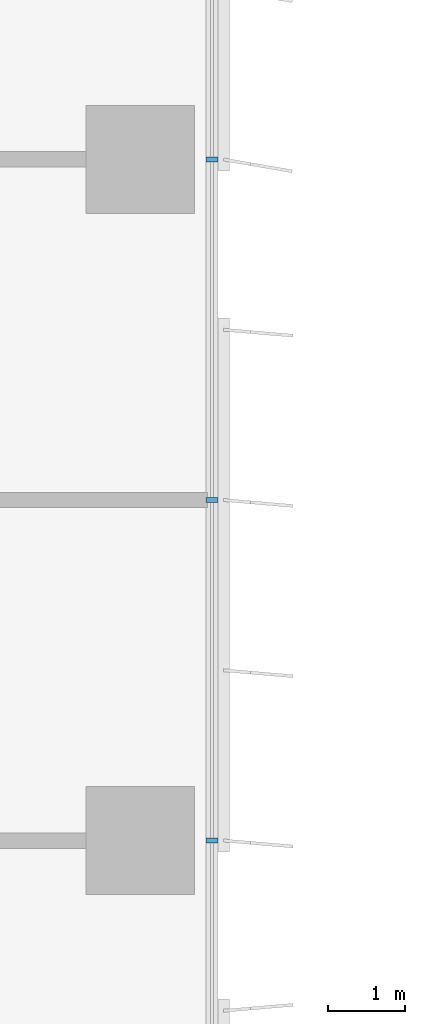
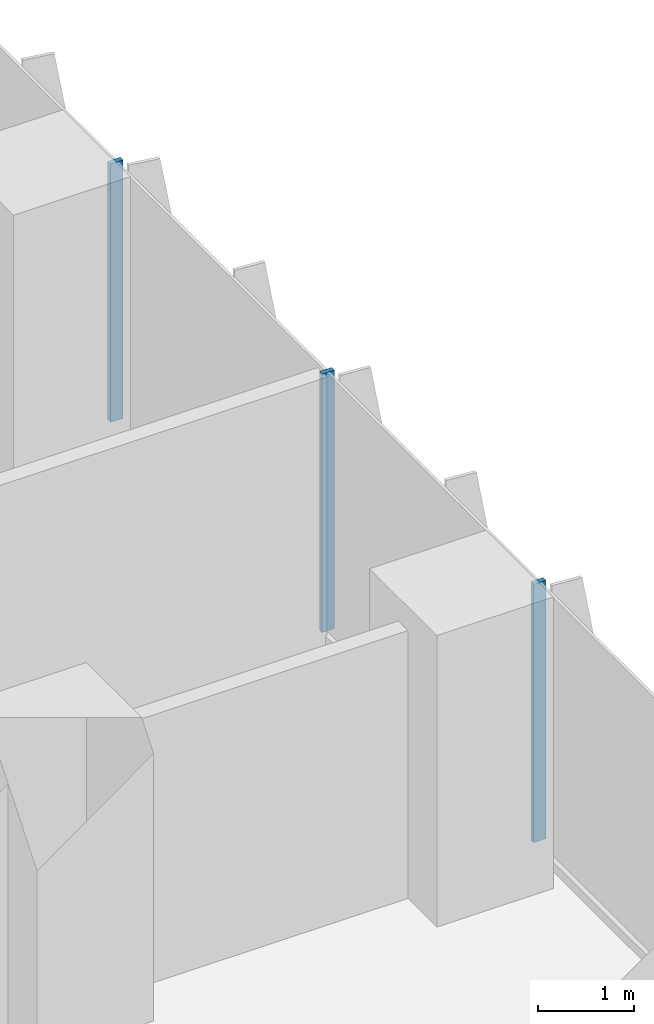
# One storey, part 7 of 24: 3 members, 1 element without a shape of its own.
"""IFC4 building model written with IfcOpenShell, lengths in metres."""

from ifc_helpers import new_model, si_unit, direction, frame, origin, origin_2d, place, context, subcontext, project, spatial, rectangle, extrude, source, transform, mapped, material, material_profile, profile_set, type_object, element, aggregate, save


model = new_model("IFC4")

# Units and contexts
model_context = context("Model", 3, precision=1e-05, world=origin(), true_north=direction((0.0, 1.0)))
body_context = subcontext(model_context, "Body", "Model", "MODEL_VIEW")
ifc_project = project(units=[si_unit("LENGTHUNIT", "METRE"), si_unit("AREAUNIT", "SQUARE_METRE"), si_unit("VOLUMEUNIT", "CUBIC_METRE"), si_unit("PLANEANGLEUNIT", "RADIAN"), si_unit("MASSUNIT", "GRAM", prefix="KILO")], contexts=[model_context])

# Site, building, storey
site_placement = place(None, origin())
site = spatial("IfcSite", under=ifc_project, at=site_placement, CompositionType="ELEMENT")
building_placement = place(site_placement, origin())
building = spatial("IfcBuilding", under=site, at=building_placement, Name="Kemantara Hotel Tower", CompositionType="ELEMENT")
storey_placement = place(building_placement, frame((0.0, 0.0, 59.89990234375)))
storey = spatial("IfcBuildingStorey", under=building, at=storey_placement, Name="L13", CompositionType="ELEMENT", Elevation=59.89990234375)

# Curtain wall, members
ifc_material_1 = material(Name="Low-E tinted double insulated glass 36 mm", Category="glass")
curtain_wall_type = type_object("IfcCurtainWallType", Name="TOWER CURTAIN WALL, FRONT FACES", PredefinedType="USERDEFINED", material=ifc_material_1)
curtain_wall_placement = place(storey_placement, origin())
curtain_wall = element("IfcCurtainWall", 1, at=curtain_wall_placement, inside=storey, type_object=curtain_wall_type, Name="CW4 L13 T1-R08-1", ObjectType="TOWER CURTAIN WALL, FRONT FACES", PredefinedType="USERDEFINED")
ifc_material_2 = material(Name="Aluminium 6063-T6 bronze anodised", Category="aluminium")
ifc_material_profile = material_profile(ifc_material_2, rectangle(XDim=0.14990234375, YDim=0.06005859375, at=origin_2d()), Name="TOWER CURTAIN WALL, FRONT FACES MULLION")
ifc_profile_set = profile_set([ifc_material_profile], Name="Aluminium 6063-T6 bronze anodised")
member_type = type_object("IfcMemberType", Name="TOWER CURTAIN WALL, FRONT FACES MULLION", PredefinedType="MULLION", material=ifc_profile_set)
shared_shape = source(origin(), body_context, "Body", "SweptSolid", [
    extrude(rectangle(XDim=0.14990234375, YDim=0.06005859375, at=origin_2d()), origin(), (0.0, 0.0, 1.0), 3.280029296875),
])
member_1_placement = place(storey_placement, frame((26.72509765625, 53.800048828125, 0.1201171875), z_axis=(0.0, 0.0, 1.0), x_axis=(-1.0, 0.0, 0.0)))
member_1 = element("IfcMember", 2, at=member_1_placement, type_object=member_type, Name="CW4 mullion T1-R08-1.8", PredefinedType="MULLION", context=body_context, shape_type="MappedRepresentation", body=[
    mapped(shared_shape, transform((0.0, 0.0, 0.0))),
])
member_2_placement = place(storey_placement, frame((26.72509765625, 58.199951171875, 0.1201171875), z_axis=(0.0, 0.0, 1.0), x_axis=(-1.0, 0.0, 0.0)))
member_2 = element("IfcMember", 3, at=member_2_placement, type_object=member_type, Name="CW4 mullion T1-R08-1.9", PredefinedType="MULLION", context=body_context, shape_type="MappedRepresentation", body=[
    mapped(shared_shape, transform((0.0, 0.0, 0.0))),
])
member_3_placement = place(storey_placement, frame((26.72509765625, 62.60009765625, 0.1201171875), z_axis=(0.0, 0.0, 1.0), x_axis=(-1.0, 0.0, 0.0)))
member_3 = element("IfcMember", 4, at=member_3_placement, type_object=member_type, Name="CW4 mullion T1-R08-1.10", PredefinedType="MULLION", context=body_context, shape_type="MappedRepresentation", body=[
    mapped(shared_shape, transform((0.0, 0.0, 0.0))),
])
aggregate(curtain_wall, [member_1, member_2, member_3])

save(model, "model.ifc")
